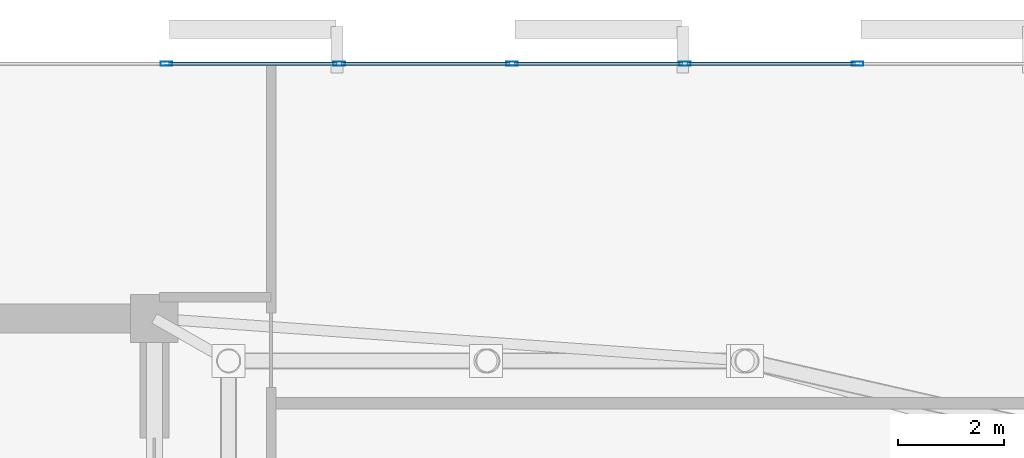
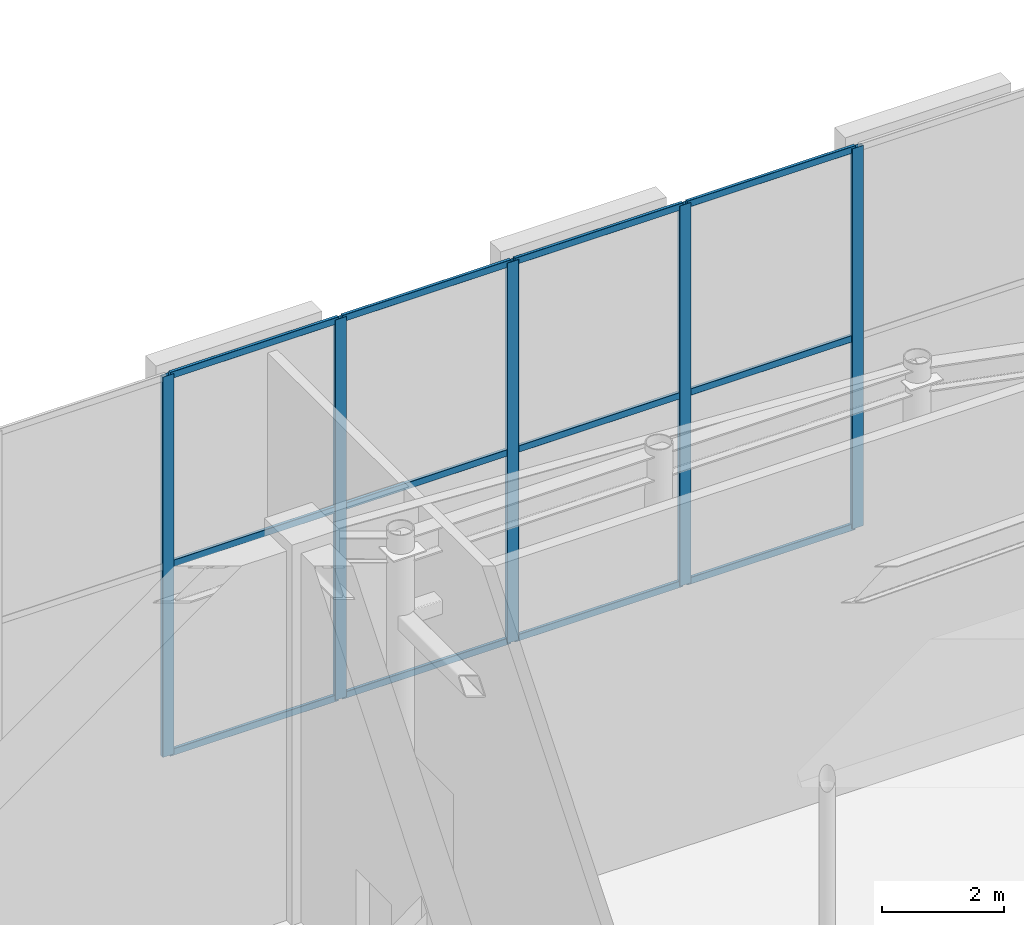
# One storey, part 10 of 22: 17 members, 1 element without a shape of its own.
"""IFC4 building model written with IfcOpenShell, lengths in metres."""

from ifc_helpers import new_model, si_unit, direction, frame, origin, origin_2d, place, context, subcontext, project, spatial, hollow_rectangle, extrude, material, layer, layer_set, material_profile, profile_set, type_object, element, aggregate, save


model = new_model("IFC4")

# Units and contexts
model_context = context("Model", 3, precision=1e-05, world=origin(), true_north=direction((0.0, 1.0)))
body_context = subcontext(model_context, "Body", "Model", "MODEL_VIEW")
ifc_project = project(units=[si_unit("LENGTHUNIT", "METRE"), si_unit("AREAUNIT", "SQUARE_METRE"), si_unit("VOLUMEUNIT", "CUBIC_METRE"), si_unit("PLANEANGLEUNIT", "RADIAN"), si_unit("MASSUNIT", "GRAM", prefix="KILO")], contexts=[model_context])

# Site, building, storey
site_placement = place(None, origin())
site = spatial("IfcSite", under=ifc_project, at=site_placement, CompositionType="ELEMENT")
building_placement = place(site_placement, origin())
building = spatial("IfcBuilding", under=site, at=building_placement, Name="An Khanh Terracotta Commons", CompositionType="ELEMENT")
storey_placement = place(building_placement, frame((0.0, 0.0, 300.39990234375)))
storey = spatial("IfcBuildingStorey", under=building, at=storey_placement, Name="L78 Crown Damper Chamber", CompositionType="ELEMENT", Elevation=300.39990234375)

# Curtain wall, members
ifc_material = material(Name="Anodised Aluminium 6063-T6", Category="aluminium")
ifc_layer = layer(ifc_material, 0.25, Name="Anodised Aluminium 6063-T6")
ifc_layer_set = layer_set([ifc_layer], Name="Anodised Aluminium 6063-T6")
curtain_wall_type = type_object("IfcCurtainWallType", Name="CW-SYS-05", PredefinedType="USERDEFINED", material=ifc_layer_set)
curtain_wall_placement = place(storey_placement, origin())
curtain_wall = element("IfcCurtainWall", 1, at=curtain_wall_placement, inside=storey, type_object=curtain_wall_type, Name="L78 Crown Damper Chamber CW-05 Unitised Curtain Wall CW-L78-20", ObjectType="UNITISED CURTAIN WALL", PredefinedType="USERDEFINED")
ifc_material_profile_1 = material_profile(ifc_material, hollow_rectangle(XDim=0.080078125, YDim=0.219970703125, WallThickness=0.0048828125, InnerFilletRadius=0.0048828125, OuterFilletRadius=0.010009765625, at=origin_2d()), Name="RHS220x80x5")
ifc_profile_set_1 = profile_set([ifc_material_profile_1], Name="Anodised Aluminium 6063-T6")
member_type_1 = type_object("IfcMemberType", Name="CWM-RHS220x80x5", PredefinedType="MULLION", material=ifc_profile_set_1)
member_1_placement = place(storey_placement, frame((50.45458984375, 38.39990234375, 0.0), z_axis=(0.0, 0.0, 1.0), x_axis=(0.0, -1.0, 0.0)))
member_1 = element("IfcMember", 2, at=member_1_placement, type_object=member_type_1, Name="CW-05 mullion 4", PredefinedType="MULLION", context=body_context, shape_type="SweptSolid", body=[
    extrude(hollow_rectangle(XDim=0.080078125, YDim=0.219970703125, WallThickness=0.0048828125, InnerFilletRadius=0.0048828125, OuterFilletRadius=0.010009765625, at=origin_2d()), origin(), (0.0, 0.0, 1.0), 7.60009765625),
])
member_2_placement = place(storey_placement, frame((47.19775390625, 38.39990234375, 0.0), z_axis=(0.0, 0.0, 1.0), x_axis=(0.0, -1.0, 0.0)))
member_2 = element("IfcMember", 3, at=member_2_placement, type_object=member_type_1, Name="CW-05 mullion 5", PredefinedType="MULLION", context=body_context, shape_type="SweptSolid", body=[
    extrude(hollow_rectangle(XDim=0.080078125, YDim=0.219970703125, WallThickness=0.0048828125, InnerFilletRadius=0.0048828125, OuterFilletRadius=0.010009765625, at=origin_2d()), origin(), (0.0, 0.0, 1.0), 7.60009765625),
])
member_3_placement = place(storey_placement, frame((43.94091796875, 38.39990234375, 0.0), z_axis=(0.0, 0.0, 1.0), x_axis=(0.0, -1.0, 0.0)))
member_3 = element("IfcMember", 4, at=member_3_placement, type_object=member_type_1, Name="CW-05 mullion 6", PredefinedType="MULLION", context=body_context, shape_type="SweptSolid", body=[
    extrude(hollow_rectangle(XDim=0.080078125, YDim=0.219970703125, WallThickness=0.0048828125, InnerFilletRadius=0.0048828125, OuterFilletRadius=0.010009765625, at=origin_2d()), origin(), (0.0, 0.0, 1.0), 7.60009765625),
])
member_4_placement = place(storey_placement, frame((40.68408203125, 38.39990234375, 0.0), z_axis=(0.0, 0.0, 1.0), x_axis=(0.0, -1.0, 0.0)))
member_4 = element("IfcMember", 5, at=member_4_placement, type_object=member_type_1, Name="CW-05 mullion 7", PredefinedType="MULLION", context=body_context, shape_type="SweptSolid", body=[
    extrude(hollow_rectangle(XDim=0.080078125, YDim=0.219970703125, WallThickness=0.0048828125, InnerFilletRadius=0.0048828125, OuterFilletRadius=0.010009765625, at=origin_2d()), origin(), (0.0, 0.0, 1.0), 7.60009765625),
])
member_5_placement = place(storey_placement, frame((37.42724609375, 38.39990234375, 0.0), z_axis=(0.0, 0.0, 1.0), x_axis=(0.0, -1.0, 0.0)))
member_5 = element("IfcMember", 6, at=member_5_placement, type_object=member_type_1, Name="CW-05 mullion 8", PredefinedType="MULLION", context=body_context, shape_type="SweptSolid", body=[
    extrude(hollow_rectangle(XDim=0.080078125, YDim=0.219970703125, WallThickness=0.0048828125, InnerFilletRadius=0.0048828125, OuterFilletRadius=0.010009765625, at=origin_2d()), origin(), (0.0, 0.0, 1.0), 7.60009765625),
])
ifc_material_profile_2 = material_profile(ifc_material, hollow_rectangle(XDim=0.06005859375, YDim=0.135009765625, WallThickness=0.003662109375, InnerFilletRadius=0.003662109375, OuterFilletRadius=0.007080078125, at=origin_2d()), Name="RHS135x60x3.6")
ifc_profile_set_2 = profile_set([ifc_material_profile_2], Name="Anodised Aluminium 6063-T6")
member_type_2 = type_object("IfcMemberType", Name="CWT-RHS135x60x3.6", PredefinedType="USERDEFINED", material=ifc_profile_set_2)
member_6_placement = place(storey_placement, frame((50.41455078125, 38.39990234375, 0.030029296875), z_axis=(-1.0, 0.0, 0.0), x_axis=(0.0, -1.0, 0.0)))
member_6 = element("IfcMember", 7, at=member_6_placement, type_object=member_type_2, Name="CW-05 transom 4.1", ObjectType="TRANSOM", PredefinedType="USERDEFINED", context=body_context, shape_type="SweptSolid", body=[
    extrude(hollow_rectangle(XDim=0.06005859375, YDim=0.135009765625, WallThickness=0.003662109375, InnerFilletRadius=0.003662109375, OuterFilletRadius=0.007080078125, at=origin_2d()), origin(), (0.0, 0.0, 1.0), 3.1767578125),
])
member_7_placement = place(storey_placement, frame((50.41455078125, 38.39990234375, 3.800048828125), z_axis=(-1.0, 0.0, 0.0), x_axis=(0.0, -1.0, 0.0)))
member_7 = element("IfcMember", 8, at=member_7_placement, type_object=member_type_2, Name="CW-05 transom 4.2", ObjectType="TRANSOM", PredefinedType="USERDEFINED", context=body_context, shape_type="SweptSolid", body=[
    extrude(hollow_rectangle(XDim=0.06005859375, YDim=0.135009765625, WallThickness=0.003662109375, InnerFilletRadius=0.003662109375, OuterFilletRadius=0.007080078125, at=origin_2d()), origin(), (0.0, 0.0, 1.0), 3.1767578125),
])
member_8_placement = place(storey_placement, frame((50.41455078125, 38.39990234375, 7.570068359375), z_axis=(-1.0, 0.0, 0.0), x_axis=(0.0, -1.0, 0.0)))
member_8 = element("IfcMember", 9, at=member_8_placement, type_object=member_type_2, Name="CW-05 transom 4.3", ObjectType="TRANSOM", PredefinedType="USERDEFINED", context=body_context, shape_type="SweptSolid", body=[
    extrude(hollow_rectangle(XDim=0.06005859375, YDim=0.135009765625, WallThickness=0.003662109375, InnerFilletRadius=0.003662109375, OuterFilletRadius=0.007080078125, at=origin_2d()), origin(), (0.0, 0.0, 1.0), 3.1767578125),
])
member_9_placement = place(storey_placement, frame((47.15771484375, 38.39990234375, 0.030029296875), z_axis=(-1.0, 0.0, 0.0), x_axis=(0.0, -1.0, 0.0)))
member_9 = element("IfcMember", 10, at=member_9_placement, type_object=member_type_2, Name="CW-05 transom 5.1", ObjectType="TRANSOM", PredefinedType="USERDEFINED", context=body_context, shape_type="SweptSolid", body=[
    extrude(hollow_rectangle(XDim=0.06005859375, YDim=0.135009765625, WallThickness=0.003662109375, InnerFilletRadius=0.003662109375, OuterFilletRadius=0.007080078125, at=origin_2d()), origin(), (0.0, 0.0, 1.0), 3.1767578125),
])
member_10_placement = place(storey_placement, frame((47.15771484375, 38.39990234375, 3.800048828125), z_axis=(-1.0, 0.0, 0.0), x_axis=(0.0, -1.0, 0.0)))
member_10 = element("IfcMember", 11, at=member_10_placement, type_object=member_type_2, Name="CW-05 transom 5.2", ObjectType="TRANSOM", PredefinedType="USERDEFINED", context=body_context, shape_type="SweptSolid", body=[
    extrude(hollow_rectangle(XDim=0.06005859375, YDim=0.135009765625, WallThickness=0.003662109375, InnerFilletRadius=0.003662109375, OuterFilletRadius=0.007080078125, at=origin_2d()), origin(), (0.0, 0.0, 1.0), 3.1767578125),
])
member_11_placement = place(storey_placement, frame((47.15771484375, 38.39990234375, 7.570068359375), z_axis=(-1.0, 0.0, 0.0), x_axis=(0.0, -1.0, 0.0)))
member_11 = element("IfcMember", 12, at=member_11_placement, type_object=member_type_2, Name="CW-05 transom 5.3", ObjectType="TRANSOM", PredefinedType="USERDEFINED", context=body_context, shape_type="SweptSolid", body=[
    extrude(hollow_rectangle(XDim=0.06005859375, YDim=0.135009765625, WallThickness=0.003662109375, InnerFilletRadius=0.003662109375, OuterFilletRadius=0.007080078125, at=origin_2d()), origin(), (0.0, 0.0, 1.0), 3.1767578125),
])
member_12_placement = place(storey_placement, frame((43.90087890625, 38.39990234375, 0.030029296875), z_axis=(-1.0, 0.0, 0.0), x_axis=(0.0, -1.0, 0.0)))
member_12 = element("IfcMember", 13, at=member_12_placement, type_object=member_type_2, Name="CW-05 transom 6.1", ObjectType="TRANSOM", PredefinedType="USERDEFINED", context=body_context, shape_type="SweptSolid", body=[
    extrude(hollow_rectangle(XDim=0.06005859375, YDim=0.135009765625, WallThickness=0.003662109375, InnerFilletRadius=0.003662109375, OuterFilletRadius=0.007080078125, at=origin_2d()), origin(), (0.0, 0.0, 1.0), 3.1767578125),
])
member_13_placement = place(storey_placement, frame((43.90087890625, 38.39990234375, 3.800048828125), z_axis=(-1.0, 0.0, 0.0), x_axis=(0.0, -1.0, 0.0)))
member_13 = element("IfcMember", 14, at=member_13_placement, type_object=member_type_2, Name="CW-05 transom 6.2", ObjectType="TRANSOM", PredefinedType="USERDEFINED", context=body_context, shape_type="SweptSolid", body=[
    extrude(hollow_rectangle(XDim=0.06005859375, YDim=0.135009765625, WallThickness=0.003662109375, InnerFilletRadius=0.003662109375, OuterFilletRadius=0.007080078125, at=origin_2d()), origin(), (0.0, 0.0, 1.0), 3.1767578125),
])
member_14_placement = place(storey_placement, frame((43.90087890625, 38.39990234375, 7.570068359375), z_axis=(-1.0, 0.0, 0.0), x_axis=(0.0, -1.0, 0.0)))
member_14 = element("IfcMember", 15, at=member_14_placement, type_object=member_type_2, Name="CW-05 transom 6.3", ObjectType="TRANSOM", PredefinedType="USERDEFINED", context=body_context, shape_type="SweptSolid", body=[
    extrude(hollow_rectangle(XDim=0.06005859375, YDim=0.135009765625, WallThickness=0.003662109375, InnerFilletRadius=0.003662109375, OuterFilletRadius=0.007080078125, at=origin_2d()), origin(), (0.0, 0.0, 1.0), 3.1767578125),
])
member_15_placement = place(storey_placement, frame((40.64404296875, 38.39990234375, 0.030029296875), z_axis=(-1.0, 0.0, 0.0), x_axis=(0.0, -1.0, 0.0)))
member_15 = element("IfcMember", 16, at=member_15_placement, type_object=member_type_2, Name="CW-05 transom 7.1", ObjectType="TRANSOM", PredefinedType="USERDEFINED", context=body_context, shape_type="SweptSolid", body=[
    extrude(hollow_rectangle(XDim=0.06005859375, YDim=0.135009765625, WallThickness=0.003662109375, InnerFilletRadius=0.003662109375, OuterFilletRadius=0.007080078125, at=origin_2d()), origin(), (0.0, 0.0, 1.0), 3.1767578125),
])
member_16_placement = place(storey_placement, frame((40.64404296875, 38.39990234375, 3.800048828125), z_axis=(-1.0, 0.0, 0.0), x_axis=(0.0, -1.0, 0.0)))
member_16 = element("IfcMember", 17, at=member_16_placement, type_object=member_type_2, Name="CW-05 transom 7.2", ObjectType="TRANSOM", PredefinedType="USERDEFINED", context=body_context, shape_type="SweptSolid", body=[
    extrude(hollow_rectangle(XDim=0.06005859375, YDim=0.135009765625, WallThickness=0.003662109375, InnerFilletRadius=0.003662109375, OuterFilletRadius=0.007080078125, at=origin_2d()), origin(), (0.0, 0.0, 1.0), 3.1767578125),
])
member_17_placement = place(storey_placement, frame((40.64404296875, 38.39990234375, 7.570068359375), z_axis=(-1.0, 0.0, 0.0), x_axis=(0.0, -1.0, 0.0)))
member_17 = element("IfcMember", 18, at=member_17_placement, type_object=member_type_2, Name="CW-05 transom 7.3", ObjectType="TRANSOM", PredefinedType="USERDEFINED", context=body_context, shape_type="SweptSolid", body=[
    extrude(hollow_rectangle(XDim=0.06005859375, YDim=0.135009765625, WallThickness=0.003662109375, InnerFilletRadius=0.003662109375, OuterFilletRadius=0.007080078125, at=origin_2d()), origin(), (0.0, 0.0, 1.0), 3.1767578125),
])
aggregate(curtain_wall, [member_1, member_2, member_3, member_4, member_5, member_6, member_7, member_8, member_9, member_10, member_11, member_12, member_13, member_14, member_15, member_16, member_17])

save(model, "model.ifc")
